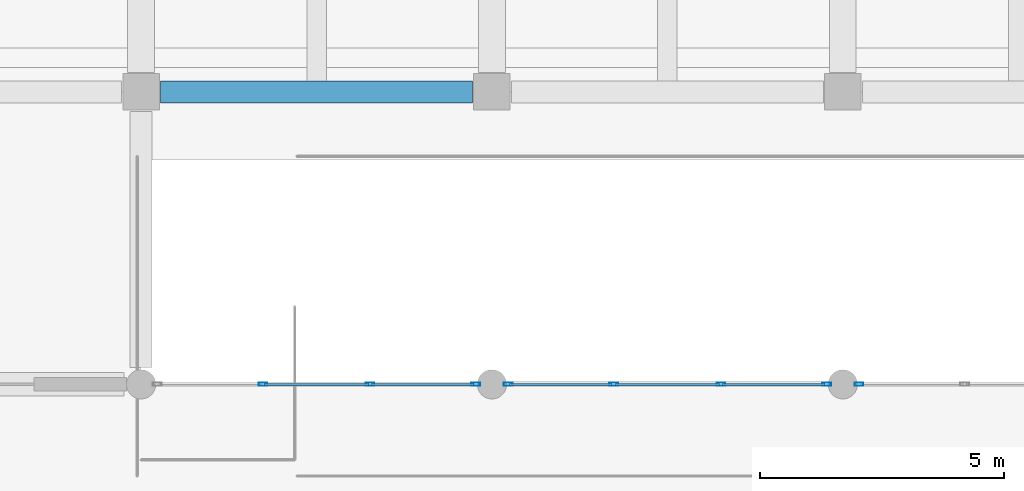
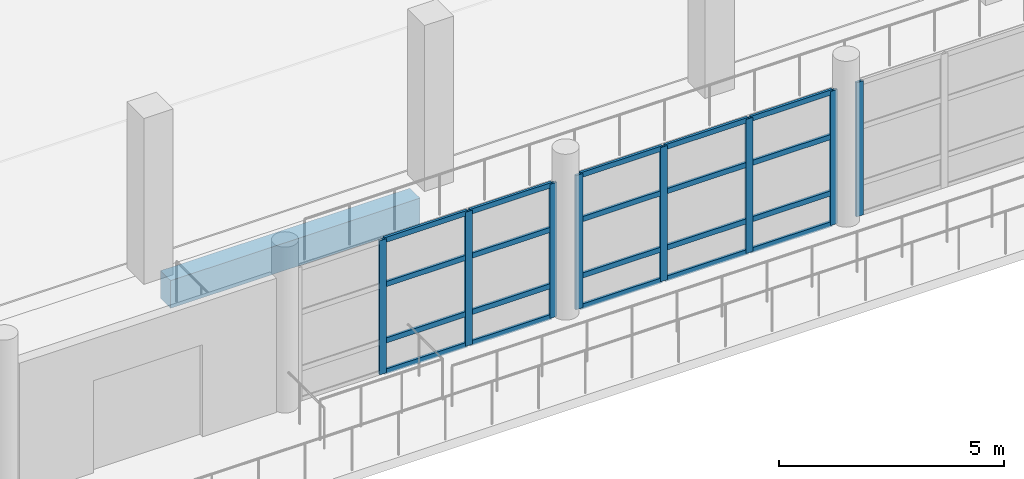
# One storey, part 9 of 71: 28 members, 1 beam, 3 elements without a shape of their own.
"""IFC4 building model written with IfcOpenShell, lengths in metres."""

from ifc_helpers import new_model, si_unit, direction, frame, origin, origin_2d, place, context, subcontext, project, spatial, rectangle, hollow_rectangle, extrude, material, material_profile, profile_set, type_object, element, aggregate, save


model = new_model("IFC4")

# Units and contexts
model_context = context("Model", 3, precision=1e-05, world=origin(), true_north=direction((0.0, 1.0)))
body_context = subcontext(model_context, "Body", "Model", "MODEL_VIEW")
ifc_project = project(units=[si_unit("LENGTHUNIT", "METRE"), si_unit("AREAUNIT", "SQUARE_METRE"), si_unit("VOLUMEUNIT", "CUBIC_METRE"), si_unit("PLANEANGLEUNIT", "RADIAN"), si_unit("MASSUNIT", "GRAM", prefix="KILO")], contexts=[model_context])

# Site, building, storey
site_placement = place(None, origin())
site = spatial("IfcSite", under=ifc_project, at=site_placement, CompositionType="ELEMENT")
building_placement = place(site_placement, origin())
building = spatial("IfcBuilding", under=site, at=building_placement, Name="Pellamere Symphony Hall", CompositionType="ELEMENT")
storey_placement = place(building_placement, frame((0.0, 0.0, 15.0)))
storey = spatial("IfcBuildingStorey", under=building, at=storey_placement, Name="L03", CompositionType="ELEMENT", Elevation=15.0)

# Curtain wall, members
ifc_material_1 = material(Name="Thermally Broken Anodised Aluminium 6063-T6 Curtain Wall", Category="aluminium")
curtain_wall_type = type_object("IfcCurtainWallType", Name="Curtain Wall CW-02 (Winter-Garden South Concourse Curtain Wall)", PredefinedType="NOTDEFINED", material=ifc_material_1)
curtain_wall_1_placement = place(storey_placement, origin())
curtain_wall_1 = element("IfcCurtainWall", 1, at=curtain_wall_1_placement, inside=storey, type_object=curtain_wall_type, Name="Winter-Garden South Curtain Wall (L03 Bay 5)", PredefinedType="NOTDEFINED")
ifc_material_2 = material(Name="Anodised Architectural Aluminium 6063-T6", Category="aluminium")
ifc_material_profile_1 = material_profile(ifc_material_2, hollow_rectangle(XDim=0.06494140625, YDim=0.179931640625, WallThickness=0.00390625, at=origin_2d()), Name="ALU-M65X180X4")
ifc_profile_set_1 = profile_set([ifc_material_profile_1], Name="Anodised Architectural Aluminium 6063-T6")
member_type_1 = type_object("IfcMemberType", Name="Curtain Wall Mullion ML-02 ALU-M65X180X4", PredefinedType="MULLION", material=ifc_profile_set_1)
member_1_placement = place(storey_placement, frame((75.699951171875, 24.0, 0.0), z_axis=(0.0, 0.0, 1.0), x_axis=(0.0, 1.0, 0.0)))
member_1 = element("IfcMember", 2, at=member_1_placement, type_object=member_type_1, Name="CW2-089 crystal mullion 2", PredefinedType="MULLION", context=body_context, shape_type="SweptSolid", body=[
    extrude(hollow_rectangle(XDim=0.06494140625, YDim=0.179931640625, WallThickness=0.00390625, at=origin_2d()), origin(), (0.0, 0.0, 1.0), 3.639892578125),
])
member_2_placement = place(storey_placement, frame((77.89990234375, 24.0, 0.0), z_axis=(0.0, 0.0, 1.0), x_axis=(0.0, 1.0, 0.0)))
member_2 = element("IfcMember", 3, at=member_2_placement, type_object=member_type_1, Name="CW2-089 crystal mullion 3", PredefinedType="MULLION", context=body_context, shape_type="SweptSolid", body=[
    extrude(hollow_rectangle(XDim=0.06494140625, YDim=0.179931640625, WallThickness=0.00390625, at=origin_2d()), origin(), (0.0, 0.0, 1.0), 3.639892578125),
])
member_3_placement = place(storey_placement, frame((80.0673828125, 24.0, 0.0), z_axis=(0.0, 0.0, 1.0), x_axis=(0.0, 1.0, 0.0)))
member_3 = element("IfcMember", 4, at=member_3_placement, type_object=member_type_1, Name="CW2-089 crystal mullion 4", PredefinedType="MULLION", context=body_context, shape_type="SweptSolid", body=[
    extrude(hollow_rectangle(XDim=0.06494140625, YDim=0.179931640625, WallThickness=0.00390625, at=origin_2d()), origin(), (0.0, 0.0, 1.0), 3.639892578125),
])

curtain_wall_2_placement = place(storey_placement, origin())
curtain_wall_2 = element("IfcCurtainWall", 5, at=curtain_wall_2_placement, inside=storey, type_object=curtain_wall_type, Name="Winter-Garden South Curtain Wall (L03 Bay 6)", PredefinedType="NOTDEFINED")
member_4_placement = place(storey_placement, frame((80.732421875, 24.0, 0.0), z_axis=(0.0, 0.0, 1.0), x_axis=(0.0, 1.0, 0.0)))
member_4 = element("IfcMember", 6, at=member_4_placement, type_object=member_type_1, Name="CW2-090 crystal mullion 1", PredefinedType="MULLION", context=body_context, shape_type="SweptSolid", body=[
    extrude(hollow_rectangle(XDim=0.06494140625, YDim=0.179931640625, WallThickness=0.00390625, at=origin_2d()), origin(), (0.0, 0.0, 1.0), 3.639892578125),
])
member_5_placement = place(storey_placement, frame((82.89990234375, 24.0, 0.0), z_axis=(0.0, 0.0, 1.0), x_axis=(0.0, 1.0, 0.0)))
member_5 = element("IfcMember", 7, at=member_5_placement, type_object=member_type_1, Name="CW2-090 crystal mullion 2", PredefinedType="MULLION", context=body_context, shape_type="SweptSolid", body=[
    extrude(hollow_rectangle(XDim=0.06494140625, YDim=0.179931640625, WallThickness=0.00390625, at=origin_2d()), origin(), (0.0, 0.0, 1.0), 3.639892578125),
])
member_6_placement = place(storey_placement, frame((85.10009765625, 24.0, 0.0), z_axis=(0.0, 0.0, 1.0), x_axis=(0.0, 1.0, 0.0)))
member_6 = element("IfcMember", 8, at=member_6_placement, type_object=member_type_1, Name="CW2-090 crystal mullion 3", PredefinedType="MULLION", context=body_context, shape_type="SweptSolid", body=[
    extrude(hollow_rectangle(XDim=0.06494140625, YDim=0.179931640625, WallThickness=0.00390625, at=origin_2d()), origin(), (0.0, 0.0, 1.0), 3.639892578125),
])
member_7_placement = place(storey_placement, frame((87.267578125, 24.0, 0.0), z_axis=(0.0, 0.0, 1.0), x_axis=(0.0, 1.0, 0.0)))
member_7 = element("IfcMember", 9, at=member_7_placement, type_object=member_type_1, Name="CW2-090 crystal mullion 4", PredefinedType="MULLION", context=body_context, shape_type="SweptSolid", body=[
    extrude(hollow_rectangle(XDim=0.06494140625, YDim=0.179931640625, WallThickness=0.00390625, at=origin_2d()), origin(), (0.0, 0.0, 1.0), 3.639892578125),
])

# Curtain wall, member
curtain_wall_3_placement = place(storey_placement, origin())
curtain_wall_3 = element("IfcCurtainWall", 10, at=curtain_wall_3_placement, inside=storey, type_object=curtain_wall_type, Name="Winter-Garden South Curtain Wall (L03 Bay 7)", PredefinedType="NOTDEFINED")
member_8_placement = place(storey_placement, frame((87.9326171875, 24.0, 0.0), z_axis=(0.0, 0.0, 1.0), x_axis=(0.0, 1.0, 0.0)))
member_8 = element("IfcMember", 11, at=member_8_placement, type_object=member_type_1, Name="CW2-091 crystal mullion 1", PredefinedType="MULLION", context=body_context, shape_type="SweptSolid", body=[
    extrude(hollow_rectangle(XDim=0.06494140625, YDim=0.179931640625, WallThickness=0.00390625, at=origin_2d()), origin(), (0.0, 0.0, 1.0), 3.639892578125),
])
aggregate(curtain_wall_3, [member_8])

# Member
ifc_material_profile_2 = material_profile(ifc_material_2, hollow_rectangle(XDim=0.06494140625, YDim=0.139892578125, WallThickness=0.00390625, at=origin_2d()), Name="ALU-T65X140X4")
ifc_profile_set_2 = profile_set([ifc_material_profile_2], Name="Anodised Architectural Aluminium 6063-T6")
member_type_2 = type_object("IfcMemberType", Name="Curtain Wall Transom TR-02 ALU-T65X140X4", PredefinedType="USERDEFINED", material=ifc_profile_set_2)
member_9_placement = place(storey_placement, frame((75.732421875, 24.0, 0.032470703125), z_axis=(1.0, 0.0, 0.0), x_axis=(0.0, 1.0, 0.0)))
member_9 = element("IfcMember", 12, at=member_9_placement, type_object=member_type_2, Name="CW2-089 crystal transom 2.1", ObjectType="TRANSOM", PredefinedType="USERDEFINED", context=body_context, shape_type="SweptSolid", body=[
    extrude(hollow_rectangle(XDim=0.06494140625, YDim=0.139892578125, WallThickness=0.00390625, at=origin_2d()), origin(), (0.0, 0.0, 1.0), 2.135009765625),
])

member_10_placement = place(storey_placement, frame((75.732421875, 24.0, 0.87353515625), z_axis=(1.0, 0.0, 0.0), x_axis=(0.0, 1.0, 0.0)))
member_10 = element("IfcMember", 13, at=member_10_placement, type_object=member_type_2, Name="CW2-089 crystal transom 2.2", ObjectType="TRANSOM", PredefinedType="USERDEFINED", context=body_context, shape_type="SweptSolid", body=[
    extrude(hollow_rectangle(XDim=0.06494140625, YDim=0.139892578125, WallThickness=0.00390625, at=origin_2d()), origin(), (0.0, 0.0, 1.0), 2.135009765625),
])

member_11_placement = place(storey_placement, frame((75.732421875, 24.0, 2.40234375), z_axis=(1.0, 0.0, 0.0), x_axis=(0.0, 1.0, 0.0)))
member_11 = element("IfcMember", 14, at=member_11_placement, type_object=member_type_2, Name="CW2-089 crystal transom 2.3", ObjectType="TRANSOM", PredefinedType="USERDEFINED", context=body_context, shape_type="SweptSolid", body=[
    extrude(hollow_rectangle(XDim=0.06494140625, YDim=0.139892578125, WallThickness=0.00390625, at=origin_2d()), origin(), (0.0, 0.0, 1.0), 2.135009765625),
])

member_12_placement = place(storey_placement, frame((75.732421875, 24.0, 3.607421875), z_axis=(1.0, 0.0, 0.0), x_axis=(0.0, 1.0, 0.0)))
member_12 = element("IfcMember", 15, at=member_12_placement, type_object=member_type_2, Name="CW2-089 crystal transom 2.4", ObjectType="TRANSOM", PredefinedType="USERDEFINED", context=body_context, shape_type="SweptSolid", body=[
    extrude(hollow_rectangle(XDim=0.06494140625, YDim=0.139892578125, WallThickness=0.00390625, at=origin_2d()), origin(), (0.0, 0.0, 1.0), 2.135009765625),
])

member_13_placement = place(storey_placement, frame((77.9326171875, 24.0, 0.032470703125), z_axis=(1.0, 0.0, 0.0), x_axis=(0.0, 1.0, 0.0)))
member_13 = element("IfcMember", 16, at=member_13_placement, type_object=member_type_2, Name="CW2-089 crystal transom 3.1", ObjectType="TRANSOM", PredefinedType="USERDEFINED", context=body_context, shape_type="SweptSolid", body=[
    extrude(hollow_rectangle(XDim=0.06494140625, YDim=0.139892578125, WallThickness=0.00390625, at=origin_2d()), origin(), (0.0, 0.0, 1.0), 2.102294921875),
])

member_14_placement = place(storey_placement, frame((77.9326171875, 24.0, 0.87353515625), z_axis=(1.0, 0.0, 0.0), x_axis=(0.0, 1.0, 0.0)))
member_14 = element("IfcMember", 17, at=member_14_placement, type_object=member_type_2, Name="CW2-089 crystal transom 3.2", ObjectType="TRANSOM", PredefinedType="USERDEFINED", context=body_context, shape_type="SweptSolid", body=[
    extrude(hollow_rectangle(XDim=0.06494140625, YDim=0.139892578125, WallThickness=0.00390625, at=origin_2d()), origin(), (0.0, 0.0, 1.0), 2.102294921875),
])

member_15_placement = place(storey_placement, frame((77.9326171875, 24.0, 2.40234375), z_axis=(1.0, 0.0, 0.0), x_axis=(0.0, 1.0, 0.0)))
member_15 = element("IfcMember", 18, at=member_15_placement, type_object=member_type_2, Name="CW2-089 crystal transom 3.3", ObjectType="TRANSOM", PredefinedType="USERDEFINED", context=body_context, shape_type="SweptSolid", body=[
    extrude(hollow_rectangle(XDim=0.06494140625, YDim=0.139892578125, WallThickness=0.00390625, at=origin_2d()), origin(), (0.0, 0.0, 1.0), 2.102294921875),
])

member_16_placement = place(storey_placement, frame((77.9326171875, 24.0, 3.607421875), z_axis=(1.0, 0.0, 0.0), x_axis=(0.0, 1.0, 0.0)))
member_16 = element("IfcMember", 19, at=member_16_placement, type_object=member_type_2, Name="CW2-089 crystal transom 3.4", ObjectType="TRANSOM", PredefinedType="USERDEFINED", context=body_context, shape_type="SweptSolid", body=[
    extrude(hollow_rectangle(XDim=0.06494140625, YDim=0.139892578125, WallThickness=0.00390625, at=origin_2d()), origin(), (0.0, 0.0, 1.0), 2.102294921875),
])

aggregate(curtain_wall_1, [member_1, member_2, member_3, member_9, member_10, member_11, member_12, member_13, member_14, member_15, member_16])

member_17_placement = place(storey_placement, frame((80.764892578125, 24.0, 0.032470703125), z_axis=(1.0, 0.0, 0.0), x_axis=(0.0, 1.0, 0.0)))
member_17 = element("IfcMember", 20, at=member_17_placement, type_object=member_type_2, Name="CW2-090 crystal transom 1.1", ObjectType="TRANSOM", PredefinedType="USERDEFINED", context=body_context, shape_type="SweptSolid", body=[
    extrude(hollow_rectangle(XDim=0.06494140625, YDim=0.139892578125, WallThickness=0.00390625, at=origin_2d()), origin(), (0.0, 0.0, 1.0), 2.1025390625),
])

member_18_placement = place(storey_placement, frame((80.764892578125, 24.0, 0.87353515625), z_axis=(1.0, 0.0, 0.0), x_axis=(0.0, 1.0, 0.0)))
member_18 = element("IfcMember", 21, at=member_18_placement, type_object=member_type_2, Name="CW2-090 crystal transom 1.2", ObjectType="TRANSOM", PredefinedType="USERDEFINED", context=body_context, shape_type="SweptSolid", body=[
    extrude(hollow_rectangle(XDim=0.06494140625, YDim=0.139892578125, WallThickness=0.00390625, at=origin_2d()), origin(), (0.0, 0.0, 1.0), 2.1025390625),
])

member_19_placement = place(storey_placement, frame((80.764892578125, 24.0, 2.40234375), z_axis=(1.0, 0.0, 0.0), x_axis=(0.0, 1.0, 0.0)))
member_19 = element("IfcMember", 22, at=member_19_placement, type_object=member_type_2, Name="CW2-090 crystal transom 1.3", ObjectType="TRANSOM", PredefinedType="USERDEFINED", context=body_context, shape_type="SweptSolid", body=[
    extrude(hollow_rectangle(XDim=0.06494140625, YDim=0.139892578125, WallThickness=0.00390625, at=origin_2d()), origin(), (0.0, 0.0, 1.0), 2.1025390625),
])

member_20_placement = place(storey_placement, frame((80.764892578125, 24.0, 3.607421875), z_axis=(1.0, 0.0, 0.0), x_axis=(0.0, 1.0, 0.0)))
member_20 = element("IfcMember", 23, at=member_20_placement, type_object=member_type_2, Name="CW2-090 crystal transom 1.4", ObjectType="TRANSOM", PredefinedType="USERDEFINED", context=body_context, shape_type="SweptSolid", body=[
    extrude(hollow_rectangle(XDim=0.06494140625, YDim=0.139892578125, WallThickness=0.00390625, at=origin_2d()), origin(), (0.0, 0.0, 1.0), 2.1025390625),
])

member_21_placement = place(storey_placement, frame((82.9326171875, 24.0, 0.032470703125), z_axis=(1.0, 0.0, 0.0), x_axis=(0.0, 1.0, 0.0)))
member_21 = element("IfcMember", 24, at=member_21_placement, type_object=member_type_2, Name="CW2-090 crystal transom 2.1", ObjectType="TRANSOM", PredefinedType="USERDEFINED", context=body_context, shape_type="SweptSolid", body=[
    extrude(hollow_rectangle(XDim=0.06494140625, YDim=0.139892578125, WallThickness=0.00390625, at=origin_2d()), origin(), (0.0, 0.0, 1.0), 2.134765625),
])

member_22_placement = place(storey_placement, frame((82.9326171875, 24.0, 0.87353515625), z_axis=(1.0, 0.0, 0.0), x_axis=(0.0, 1.0, 0.0)))
member_22 = element("IfcMember", 25, at=member_22_placement, type_object=member_type_2, Name="CW2-090 crystal transom 2.2", ObjectType="TRANSOM", PredefinedType="USERDEFINED", context=body_context, shape_type="SweptSolid", body=[
    extrude(hollow_rectangle(XDim=0.06494140625, YDim=0.139892578125, WallThickness=0.00390625, at=origin_2d()), origin(), (0.0, 0.0, 1.0), 2.134765625),
])

member_23_placement = place(storey_placement, frame((82.9326171875, 24.0, 2.40234375), z_axis=(1.0, 0.0, 0.0), x_axis=(0.0, 1.0, 0.0)))
member_23 = element("IfcMember", 26, at=member_23_placement, type_object=member_type_2, Name="CW2-090 crystal transom 2.3", ObjectType="TRANSOM", PredefinedType="USERDEFINED", context=body_context, shape_type="SweptSolid", body=[
    extrude(hollow_rectangle(XDim=0.06494140625, YDim=0.139892578125, WallThickness=0.00390625, at=origin_2d()), origin(), (0.0, 0.0, 1.0), 2.134765625),
])

member_24_placement = place(storey_placement, frame((82.9326171875, 24.0, 3.607421875), z_axis=(1.0, 0.0, 0.0), x_axis=(0.0, 1.0, 0.0)))
member_24 = element("IfcMember", 27, at=member_24_placement, type_object=member_type_2, Name="CW2-090 crystal transom 2.4", ObjectType="TRANSOM", PredefinedType="USERDEFINED", context=body_context, shape_type="SweptSolid", body=[
    extrude(hollow_rectangle(XDim=0.06494140625, YDim=0.139892578125, WallThickness=0.00390625, at=origin_2d()), origin(), (0.0, 0.0, 1.0), 2.134765625),
])

member_25_placement = place(storey_placement, frame((85.132568359375, 24.0, 0.032470703125), z_axis=(1.0, 0.0, 0.0), x_axis=(0.0, 1.0, 0.0)))
member_25 = element("IfcMember", 28, at=member_25_placement, type_object=member_type_2, Name="CW2-090 crystal transom 3.1", ObjectType="TRANSOM", PredefinedType="USERDEFINED", context=body_context, shape_type="SweptSolid", body=[
    extrude(hollow_rectangle(XDim=0.06494140625, YDim=0.139892578125, WallThickness=0.00390625, at=origin_2d()), origin(), (0.0, 0.0, 1.0), 2.1025390625),
])

member_26_placement = place(storey_placement, frame((85.132568359375, 24.0, 0.87353515625), z_axis=(1.0, 0.0, 0.0), x_axis=(0.0, 1.0, 0.0)))
member_26 = element("IfcMember", 29, at=member_26_placement, type_object=member_type_2, Name="CW2-090 crystal transom 3.2", ObjectType="TRANSOM", PredefinedType="USERDEFINED", context=body_context, shape_type="SweptSolid", body=[
    extrude(hollow_rectangle(XDim=0.06494140625, YDim=0.139892578125, WallThickness=0.00390625, at=origin_2d()), origin(), (0.0, 0.0, 1.0), 2.1025390625),
])

member_27_placement = place(storey_placement, frame((85.132568359375, 24.0, 2.40234375), z_axis=(1.0, 0.0, 0.0), x_axis=(0.0, 1.0, 0.0)))
member_27 = element("IfcMember", 30, at=member_27_placement, type_object=member_type_2, Name="CW2-090 crystal transom 3.3", ObjectType="TRANSOM", PredefinedType="USERDEFINED", context=body_context, shape_type="SweptSolid", body=[
    extrude(hollow_rectangle(XDim=0.06494140625, YDim=0.139892578125, WallThickness=0.00390625, at=origin_2d()), origin(), (0.0, 0.0, 1.0), 2.1025390625),
])

member_28_placement = place(storey_placement, frame((85.132568359375, 24.0, 3.607421875), z_axis=(1.0, 0.0, 0.0), x_axis=(0.0, 1.0, 0.0)))
member_28 = element("IfcMember", 31, at=member_28_placement, type_object=member_type_2, Name="CW2-090 crystal transom 3.4", ObjectType="TRANSOM", PredefinedType="USERDEFINED", context=body_context, shape_type="SweptSolid", body=[
    extrude(hollow_rectangle(XDim=0.06494140625, YDim=0.139892578125, WallThickness=0.00390625, at=origin_2d()), origin(), (0.0, 0.0, 1.0), 2.1025390625),
])

aggregate(curtain_wall_2, [member_4, member_5, member_6, member_7, member_17, member_18, member_19, member_20, member_21, member_22, member_23, member_24, member_25, member_26, member_27, member_28])

# Beam
ifc_material_3 = material(Name="Concrete 40 MPa", Category="concrete")
ifc_material_profile_3 = material_profile(ifc_material_3, rectangle(XDim=0.449951171875, YDim=0.75, at=origin_2d()), Name="RC 450x750")
ifc_profile_set_3 = profile_set([ifc_material_profile_3], Name="Concrete 40 MPa")
beam_type = type_object("IfcBeamType", Name="RC CB-12 450x750", PredefinedType="SPANDREL", material=ifc_profile_set_3)
beam_placement = place(storey_placement, frame((73.60009765625, 30.0, -0.635009765625), z_axis=(1.0, 0.0, 0.0), x_axis=(0.0, 1.0, 0.0)))
element("IfcBeam", 32, at=beam_placement, inside=storey, type_object=beam_type, Name="Girder CB-12-X1509 (L03)", PredefinedType="SPANDREL", context=body_context, shape_type="SweptSolid", body=[
    extrude(rectangle(XDim=0.449951171875, YDim=0.75, at=origin_2d()), origin(), (0.0, 0.0, 1.0), 6.39990234375),
])

save(model, "model.ifc")
